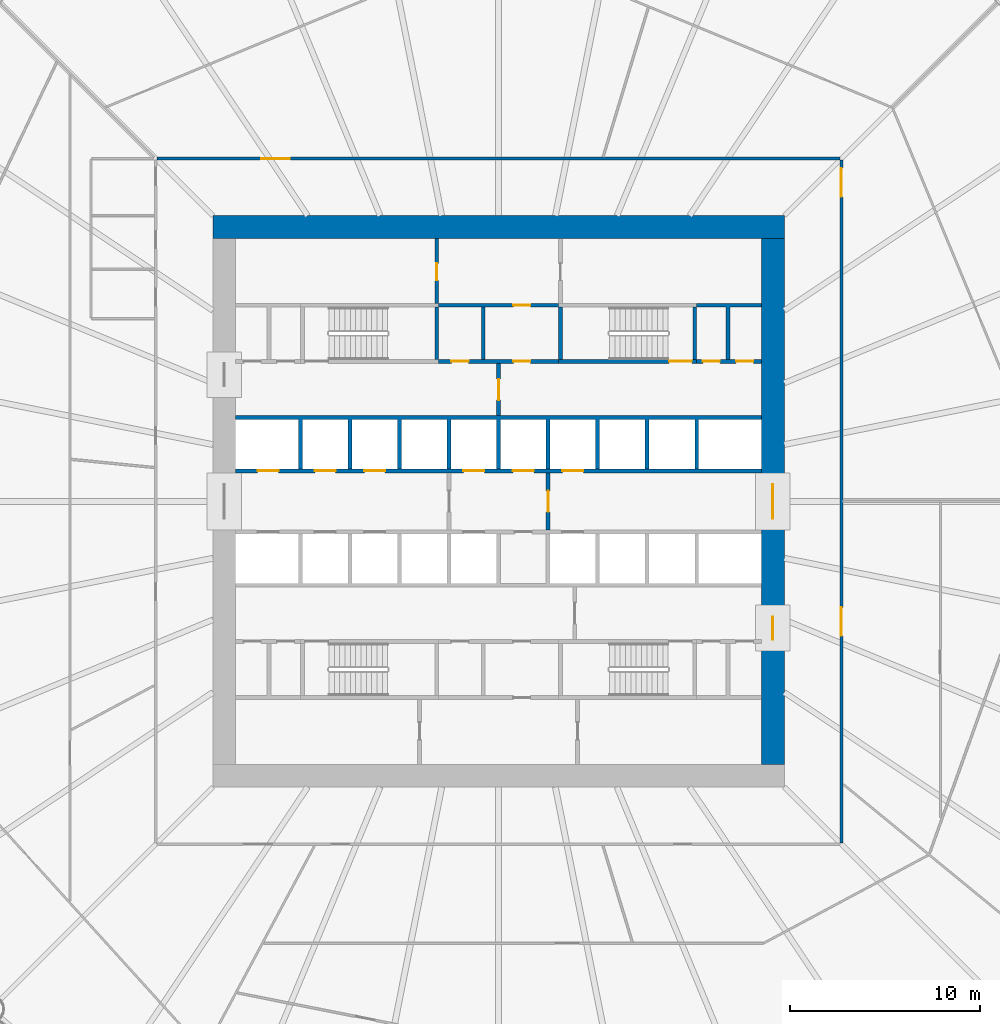
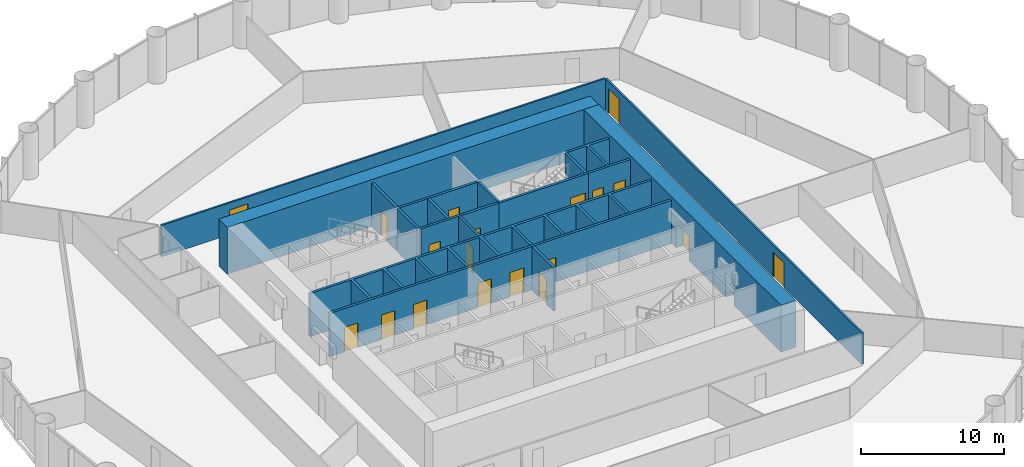
# One storey, part 13 of 15: 20 doors, 18 walls, 20 openings.
"""IFC4 building model written with IfcOpenShell, lengths in metres."""

from ifc_helpers import new_model, si_unit, direction, frame, frame_2d, origin, place, context, subcontext, project, spatial, polyline, rectangle, outline, extrude, material, layer, layer_set, type_object, element, fill, save


model = new_model("IFC4")

# Units and contexts
model_context = context("Model", 3, precision=1e-05, world=origin(), true_north=direction((0.0, 1.0)))
body_context = subcontext(model_context, "Body", "Model", "MODEL_VIEW")
ifc_project = project(units=[si_unit("LENGTHUNIT", "METRE"), si_unit("AREAUNIT", "SQUARE_METRE"), si_unit("VOLUMEUNIT", "CUBIC_METRE"), si_unit("PLANEANGLEUNIT", "RADIAN"), si_unit("MASSUNIT", "GRAM", prefix="KILO")], contexts=[model_context])

# Site, building, storey
site_placement = place(None, origin())
site = spatial("IfcSite", under=ifc_project, at=site_placement, CompositionType="ELEMENT")
building_placement = place(site_placement, origin())
building = spatial("IfcBuilding", under=site, at=building_placement, Name="Corvane Civic Tower", CompositionType="ELEMENT")
storey_placement = place(building_placement, frame((0.0, 0.0, 61.0)))
storey = spatial("IfcBuildingStorey", under=building, at=storey_placement, Name="L13", CompositionType="ELEMENT", Elevation=61.0)

# Wall
ifc_material_1 = material(Name="Concrete C80/95", Category="concrete")
ifc_layer_1 = layer(ifc_material_1, 1.199951171875)
ifc_layer_set_1 = layer_set([ifc_layer_1], Name="Concrete C80/95")
wall_type_1 = type_object("IfcWallType", Name="CORE WALL 1200 C80/95", PredefinedType="SHEAR", material=ifc_layer_set_1)
wall_1_placement = place(storey_placement, frame((-15.0, 14.39990234375, 0.0), z_axis=(0.0, 0.0, 1.0), x_axis=(1.0, 0.0, 0.0)))
element("IfcWall", 1, at=wall_1_placement, inside=storey, type_object=wall_type_1, Name="W-L13-core-N", PredefinedType="SHEAR", context=body_context, shape_type="SweptSolid", body=[
    extrude(rectangle(XDim=30.0, YDim=1.199951171875, at=frame_2d((15.0, 0.0))), origin(), (0.0, 0.0, 1.0), 4.0),
])

# Wall, openings, doors
wall_2_placement = place(storey_placement, frame((14.39990234375, -13.800048828125, 0.0), z_axis=(0.0, 0.0, 1.0), x_axis=(0.0, 1.0, 0.0)))
wall_2 = element("IfcWall", 2, at=wall_2_placement, inside=storey, type_object=wall_type_1, Name="W-L13-core-E", PredefinedType="SHEAR", context=body_context, shape_type="SweptSolid", body=[
    extrude(rectangle(XDim=27.60009765625, YDim=1.199951171875, at=frame_2d((13.800048828125, 0.0))), origin(), (0.0, 0.0, 1.0), 4.0),
])
opening_1_placement = place(wall_2_placement, frame((12.89990234375, 0.0, 0.0)))
opening_1 = element("IfcOpeningElement", 3, at=opening_1_placement, cuts=wall_2, Name="Opening L13.C29", PredefinedType="OPENING", context=body_context, shape_type="SweptSolid", body=[
    extrude(rectangle(XDim=1.800048828125, YDim=2.10009765625, at=frame_2d((0.89990234375, 1.050048828125))), frame((0.0, 0.60986328125, 0.0), z_axis=(0.0, -1.0, 0.0), x_axis=(1.0, 0.0, 0.0)), (0.0, 0.0, 1.0), 1.219970703125),
])
opening_2_placement = place(wall_2_placement, frame((6.550048828125, 0.0, 0.0)))
opening_2 = element("IfcOpeningElement", 4, at=opening_2_placement, cuts=wall_2, Name="Opening L13.C31", PredefinedType="OPENING", context=body_context, shape_type="SweptSolid", body=[
    extrude(rectangle(XDim=1.199951171875, YDim=2.10009765625, at=frame_2d((0.60009765625, 1.050048828125))), frame((0.0, 0.60986328125, 0.0), z_axis=(0.0, -1.0, 0.0), x_axis=(1.0, 0.0, 0.0)), (0.0, 0.0, 1.0), 1.219970703125),
])
ifc_material_2 = material(Name="Steel fire door leaf", Category="steel")
door_type_1 = type_object("IfcDoorType", Name="CR-DOOR-CORE-1800", OperationType="DOUBLE_DOOR_SINGLE_SWING", PredefinedType="DOOR", material=ifc_material_2)
door_1_placement = place(opening_1_placement, origin())
door_1 = element("IfcDoor", 5, at=door_1_placement, inside=storey, type_object=door_type_1, Name="L13 door", OperationType="DOUBLE_DOOR_SINGLE_SWING", OverallHeight=2.10009765625, OverallWidth=1.800048828125, PredefinedType="DOOR", context=body_context, shape_type="SweptSolid", body=[
    extrude(rectangle(XDim=1.800048828125, YDim=2.10009765625, at=frame_2d((0.89990234375, 1.050048828125))), frame((0.0, 0.02490234375, 0.0), z_axis=(0.0, -1.0, 0.0), x_axis=(1.0, 0.0, 0.0)), (0.0, 0.0, 1.0), 0.050048828125),
])
fill(opening_1, door_1)
door_2_placement = place(opening_2_placement, origin())
door_2 = element("IfcDoor", 6, at=door_2_placement, inside=storey, type_object=door_type_1, Name="L13 door", OperationType="DOUBLE_DOOR_SINGLE_SWING", OverallHeight=2.10009765625, OverallWidth=1.199951171875, PredefinedType="DOOR", context=body_context, shape_type="SweptSolid", body=[
    extrude(rectangle(XDim=1.199951171875, YDim=2.10009765625, at=frame_2d((0.60009765625, 1.050048828125))), frame((0.0, 0.02490234375, 0.0), z_axis=(0.0, -1.0, 0.0), x_axis=(1.0, 0.0, 0.0)), (0.0, 0.0, 1.0), 0.050048828125),
])
fill(opening_2, door_2)

ifc_material_3 = material(Name="Concrete C30/37", Category="concrete")
ifc_layer_2 = layer(ifc_material_3, 0.199951171875)
ifc_layer_set_2 = layer_set([ifc_layer_2], Name="Concrete C30/37")
wall_type_2 = type_object("IfcWallType", Name="CR-WALL-200", PredefinedType="PARTITIONING", material=ifc_layer_set_2)
wall_3_placement = place(storey_placement, frame((-13.800048828125, 1.60009765625, 0.0), z_axis=(0.0, 0.0, 1.0), x_axis=(1.0, 0.0, 0.0)))
wall_3 = element("IfcWall", 7, at=wall_3_placement, inside=storey, type_object=wall_type_2, Name="L13 lift shaft wall", PredefinedType="PARTITIONING", context=body_context, shape_type="SweptSolid", body=[
    extrude(rectangle(XDim=27.60009765625, YDim=0.199951171875, at=frame_2d((13.800048828125, 0.0))), origin(), (0.0, 0.0, 1.0), 3.699951171875),
])
opening_3_placement = place(wall_3_placement, frame((1.14990234375, 0.0, 0.0)))
opening_3 = element("IfcOpeningElement", 8, at=opening_3_placement, cuts=wall_3, Name="Opening LD", PredefinedType="OPENING", context=body_context, shape_type="SweptSolid", body=[
    extrude(rectangle(XDim=1.10009765625, YDim=2.10009765625, at=frame_2d((0.550048828125, 1.050048828125))), frame((0.0, 0.10986328125, 0.0), z_axis=(0.0, -1.0, 0.0), x_axis=(1.0, 0.0, 0.0)), (0.0, 0.0, 1.0), 0.219970703125),
])
opening_4_placement = place(wall_3_placement, frame((4.14990234375, 0.0, 0.0)))
opening_4 = element("IfcOpeningElement", 9, at=opening_4_placement, cuts=wall_3, Name="Opening LD", PredefinedType="OPENING", context=body_context, shape_type="SweptSolid", body=[
    extrude(rectangle(XDim=1.10009765625, YDim=2.10009765625, at=frame_2d((0.550048828125, 1.050048828125))), frame((0.0, 0.10986328125, 0.0), z_axis=(0.0, -1.0, 0.0), x_axis=(1.0, 0.0, 0.0)), (0.0, 0.0, 1.0), 0.219970703125),
])
opening_5_placement = place(wall_3_placement, frame((6.75, 0.0, 0.0)))
opening_5 = element("IfcOpeningElement", 10, at=opening_5_placement, cuts=wall_3, Name="Opening LD", PredefinedType="OPENING", context=body_context, shape_type="SweptSolid", body=[
    extrude(rectangle(XDim=1.10009765625, YDim=2.10009765625, at=frame_2d((0.550048828125, 1.050048828125))), frame((0.0, 0.10986328125, 0.0), z_axis=(0.0, -1.0, 0.0), x_axis=(1.0, 0.0, 0.0)), (0.0, 0.0, 1.0), 0.219970703125),
])
opening_6_placement = place(wall_3_placement, frame((11.949951171875, 0.0, 0.0)))
opening_6 = element("IfcOpeningElement", 11, at=opening_6_placement, cuts=wall_3, Name="Opening LD", PredefinedType="OPENING", context=body_context, shape_type="SweptSolid", body=[
    extrude(rectangle(XDim=1.10009765625, YDim=2.10009765625, at=frame_2d((0.550048828125, 1.050048828125))), frame((0.0, 0.10986328125, 0.0), z_axis=(0.0, -1.0, 0.0), x_axis=(1.0, 0.0, 0.0)), (0.0, 0.0, 1.0), 0.219970703125),
])
opening_7_placement = place(wall_3_placement, frame((14.550048828125, 0.0, 0.0)))
opening_7 = element("IfcOpeningElement", 12, at=opening_7_placement, cuts=wall_3, Name="Opening LD", PredefinedType="OPENING", context=body_context, shape_type="SweptSolid", body=[
    extrude(rectangle(XDim=1.10009765625, YDim=2.10009765625, at=frame_2d((0.550048828125, 1.050048828125))), frame((0.0, 0.10986328125, 0.0), z_axis=(0.0, -1.0, 0.0), x_axis=(1.0, 0.0, 0.0)), (0.0, 0.0, 1.0), 0.219970703125),
])
opening_8_placement = place(wall_3_placement, frame((17.14990234375, 0.0, 0.0)))
opening_8 = element("IfcOpeningElement", 13, at=opening_8_placement, cuts=wall_3, Name="Opening LD", PredefinedType="OPENING", context=body_context, shape_type="SweptSolid", body=[
    extrude(rectangle(XDim=1.10009765625, YDim=2.10009765625, at=frame_2d((0.550048828125, 1.050048828125))), frame((0.0, 0.10986328125, 0.0), z_axis=(0.0, -1.0, 0.0), x_axis=(1.0, 0.0, 0.0)), (0.0, 0.0, 1.0), 0.219970703125),
])
ifc_material_4 = material(Name="Stainless steel 316 door leaves", Category="steel")
door_type_2 = type_object("IfcDoorType", Name="LD", OperationType="DOUBLE_DOOR_SLIDING", PredefinedType="DOOR", material=ifc_material_4)
door_3_placement = place(opening_3_placement, origin())
door_3 = element("IfcDoor", 14, at=door_3_placement, inside=storey, type_object=door_type_2, Name="L13 landing door", OperationType="DOUBLE_DOOR_SLIDING", OverallHeight=2.10009765625, OverallWidth=1.10009765625, PredefinedType="DOOR", context=body_context, shape_type="SweptSolid", body=[
    extrude(rectangle(XDim=1.10009765625, YDim=2.10009765625, at=frame_2d((0.550048828125, 1.050048828125))), frame((0.0, 0.02490234375, 0.0), z_axis=(0.0, -1.0, 0.0), x_axis=(1.0, 0.0, 0.0)), (0.0, 0.0, 1.0), 0.050048828125),
])
fill(opening_3, door_3)
door_4_placement = place(opening_4_placement, origin())
door_4 = element("IfcDoor", 15, at=door_4_placement, inside=storey, type_object=door_type_2, Name="L13 landing door", OperationType="DOUBLE_DOOR_SLIDING", OverallHeight=2.10009765625, OverallWidth=1.10009765625, PredefinedType="DOOR", context=body_context, shape_type="SweptSolid", body=[
    extrude(rectangle(XDim=1.10009765625, YDim=2.10009765625, at=frame_2d((0.550048828125, 1.050048828125))), frame((0.0, 0.02490234375, 0.0), z_axis=(0.0, -1.0, 0.0), x_axis=(1.0, 0.0, 0.0)), (0.0, 0.0, 1.0), 0.050048828125),
])
fill(opening_4, door_4)
door_5_placement = place(opening_5_placement, origin())
door_5 = element("IfcDoor", 16, at=door_5_placement, inside=storey, type_object=door_type_2, Name="L13 landing door", OperationType="DOUBLE_DOOR_SLIDING", OverallHeight=2.10009765625, OverallWidth=1.10009765625, PredefinedType="DOOR", context=body_context, shape_type="SweptSolid", body=[
    extrude(rectangle(XDim=1.10009765625, YDim=2.10009765625, at=frame_2d((0.550048828125, 1.050048828125))), frame((0.0, 0.02490234375, 0.0), z_axis=(0.0, -1.0, 0.0), x_axis=(1.0, 0.0, 0.0)), (0.0, 0.0, 1.0), 0.050048828125),
])
fill(opening_5, door_5)
door_6_placement = place(opening_6_placement, origin())
door_6 = element("IfcDoor", 17, at=door_6_placement, inside=storey, type_object=door_type_2, Name="L13 landing door", OperationType="DOUBLE_DOOR_SLIDING", OverallHeight=2.10009765625, OverallWidth=1.10009765625, PredefinedType="DOOR", context=body_context, shape_type="SweptSolid", body=[
    extrude(rectangle(XDim=1.10009765625, YDim=2.10009765625, at=frame_2d((0.550048828125, 1.050048828125))), frame((0.0, 0.02490234375, 0.0), z_axis=(0.0, -1.0, 0.0), x_axis=(1.0, 0.0, 0.0)), (0.0, 0.0, 1.0), 0.050048828125),
])
fill(opening_6, door_6)
door_7_placement = place(opening_7_placement, origin())
door_7 = element("IfcDoor", 18, at=door_7_placement, inside=storey, type_object=door_type_2, Name="L13 landing door", OperationType="DOUBLE_DOOR_SLIDING", OverallHeight=2.10009765625, OverallWidth=1.10009765625, PredefinedType="DOOR", context=body_context, shape_type="SweptSolid", body=[
    extrude(rectangle(XDim=1.10009765625, YDim=2.10009765625, at=frame_2d((0.550048828125, 1.050048828125))), frame((0.0, 0.02490234375, 0.0), z_axis=(0.0, -1.0, 0.0), x_axis=(1.0, 0.0, 0.0)), (0.0, 0.0, 1.0), 0.050048828125),
])
fill(opening_7, door_7)
door_8_placement = place(opening_8_placement, origin())
door_8 = element("IfcDoor", 19, at=door_8_placement, inside=storey, type_object=door_type_2, Name="L13 landing door", OperationType="DOUBLE_DOOR_SLIDING", OverallHeight=2.10009765625, OverallWidth=1.10009765625, PredefinedType="DOOR", context=body_context, shape_type="SweptSolid", body=[
    extrude(rectangle(XDim=1.10009765625, YDim=2.10009765625, at=frame_2d((0.550048828125, 1.050048828125))), frame((0.0, 0.02490234375, 0.0), z_axis=(0.0, -1.0, 0.0), x_axis=(1.0, 0.0, 0.0)), (0.0, 0.0, 1.0), 0.050048828125),
])
fill(opening_8, door_8)

wall_4_placement = place(storey_placement, frame((-3.14990234375, 7.35009765625, 0.0), z_axis=(0.0, 0.0, 1.0), x_axis=(1.0, 0.0, 0.0)))
wall_4 = element("IfcWall", 20, at=wall_4_placement, inside=storey, type_object=wall_type_2, Name="L13 partition wall", PredefinedType="PARTITIONING", context=body_context, shape_type="SweptSolid", body=[
    extrude(rectangle(XDim=6.2998046875, YDim=0.199951171875, at=frame_2d((3.14990234375, 0.0))), origin(), (0.0, 0.0, 1.0), 3.699951171875),
])
opening_9_placement = place(wall_4_placement, frame((0.675048828125, 0.0, 0.0)))
opening_9 = element("IfcOpeningElement", 21, at=opening_9_placement, cuts=wall_4, Name="Opening L13.C02", PredefinedType="OPENING", context=body_context, shape_type="SweptSolid", body=[
    extrude(rectangle(XDim=0.89990234375, YDim=2.10009765625, at=frame_2d((0.449951171875, 1.050048828125))), frame((0.0, 0.10986328125, 0.0), z_axis=(0.0, -1.0, 0.0), x_axis=(1.0, 0.0, 0.0)), (0.0, 0.0, 1.0), 0.219970703125),
])
opening_10_placement = place(wall_4_placement, frame((3.925048828125, 0.0, 0.0)))
opening_10 = element("IfcOpeningElement", 22, at=opening_10_placement, cuts=wall_4, Name="Opening L13.C03", PredefinedType="OPENING", context=body_context, shape_type="SweptSolid", body=[
    extrude(rectangle(XDim=0.89990234375, YDim=2.10009765625, at=frame_2d((0.449951171875, 1.050048828125))), frame((0.0, 0.10986328125, 0.0), z_axis=(0.0, -1.0, 0.0), x_axis=(1.0, 0.0, 0.0)), (0.0, 0.0, 1.0), 0.219970703125),
])
ifc_material_5 = material(Name="Steel fire door leaf", Category="steel")
door_type_3 = type_object("IfcDoorType", Name="CR-DOOR-900", OperationType="SINGLE_SWING_LEFT", PredefinedType="DOOR", material=ifc_material_5)
door_9_placement = place(opening_9_placement, origin())
door_9 = element("IfcDoor", 23, at=door_9_placement, inside=storey, type_object=door_type_3, Name="L13 door", OperationType="SINGLE_SWING_LEFT", OverallHeight=2.10009765625, OverallWidth=0.89990234375, PredefinedType="DOOR", context=body_context, shape_type="SweptSolid", body=[
    extrude(rectangle(XDim=0.89990234375, YDim=2.10009765625, at=frame_2d((0.449951171875, 1.050048828125))), frame((0.0, 0.02490234375, 0.0), z_axis=(0.0, -1.0, 0.0), x_axis=(1.0, 0.0, 0.0)), (0.0, 0.0, 1.0), 0.050048828125),
])
fill(opening_9, door_9)
door_10_placement = place(opening_10_placement, origin())
door_10 = element("IfcDoor", 24, at=door_10_placement, inside=storey, type_object=door_type_3, Name="L13 door", OperationType="SINGLE_SWING_LEFT", OverallHeight=2.10009765625, OverallWidth=0.89990234375, PredefinedType="DOOR", context=body_context, shape_type="SweptSolid", body=[
    extrude(rectangle(XDim=0.89990234375, YDim=2.10009765625, at=frame_2d((0.449951171875, 1.050048828125))), frame((0.0, 0.02490234375, 0.0), z_axis=(0.0, -1.0, 0.0), x_axis=(1.0, 0.0, 0.0)), (0.0, 0.0, 1.0), 0.050048828125),
])
fill(opening_10, door_10)

wall_5_placement = place(storey_placement, frame((10.39990234375, 7.35009765625, 0.0), z_axis=(0.0, 0.0, 1.0), x_axis=(1.0, 0.0, 0.0)))
wall_5 = element("IfcWall", 25, at=wall_5_placement, inside=storey, type_object=wall_type_2, Name="L13 core partition wall", PredefinedType="PARTITIONING", context=body_context, shape_type="SweptSolid", body=[
    extrude(rectangle(XDim=3.400146484375, YDim=0.199951171875, at=frame_2d((1.7001953125, 0.0))), origin(), (0.0, 0.0, 1.0), 3.699951171875),
])
opening_11_placement = place(wall_5_placement, frame((0.324951171875, 0.0, 0.0)))
opening_11 = element("IfcOpeningElement", 26, at=opening_11_placement, cuts=wall_5, Name="Opening L13.C16", PredefinedType="OPENING", context=body_context, shape_type="SweptSolid", body=[
    extrude(rectangle(XDim=0.89990234375, YDim=2.10009765625, at=frame_2d((0.449951171875, 1.050048828125))), frame((0.0, 0.10986328125, 0.0), z_axis=(0.0, -1.0, 0.0), x_axis=(1.0, 0.0, 0.0)), (0.0, 0.0, 1.0), 0.219970703125),
])
opening_12_placement = place(wall_5_placement, frame((2.074951171875, 0.0, 0.0)))
opening_12 = element("IfcOpeningElement", 27, at=opening_12_placement, cuts=wall_5, Name="Opening L13.C17", PredefinedType="OPENING", context=body_context, shape_type="SweptSolid", body=[
    extrude(rectangle(XDim=0.89990234375, YDim=2.10009765625, at=frame_2d((0.449951171875, 1.050048828125))), frame((0.0, 0.10986328125, 0.0), z_axis=(0.0, -1.0, 0.0), x_axis=(1.0, 0.0, 0.0)), (0.0, 0.0, 1.0), 0.219970703125),
])
door_11_placement = place(opening_11_placement, origin())
door_11 = element("IfcDoor", 28, at=door_11_placement, inside=storey, type_object=door_type_3, Name="L13 door", OperationType="SINGLE_SWING_LEFT", OverallHeight=2.10009765625, OverallWidth=0.89990234375, PredefinedType="DOOR", context=body_context, shape_type="SweptSolid", body=[
    extrude(rectangle(XDim=0.89990234375, YDim=2.10009765625, at=frame_2d((0.449951171875, 1.050048828125))), frame((0.0, 0.02490234375, 0.0), z_axis=(0.0, -1.0, 0.0), x_axis=(1.0, 0.0, 0.0)), (0.0, 0.0, 1.0), 0.050048828125),
])
fill(opening_11, door_11)
door_12_placement = place(opening_12_placement, origin())
door_12 = element("IfcDoor", 29, at=door_12_placement, inside=storey, type_object=door_type_3, Name="L13 door", OperationType="SINGLE_SWING_LEFT", OverallHeight=2.10009765625, OverallWidth=0.89990234375, PredefinedType="DOOR", context=body_context, shape_type="SweptSolid", body=[
    extrude(rectangle(XDim=0.89990234375, YDim=2.10009765625, at=frame_2d((0.449951171875, 1.050048828125))), frame((0.0, 0.02490234375, 0.0), z_axis=(0.0, -1.0, 0.0), x_axis=(1.0, 0.0, 0.0)), (0.0, 0.0, 1.0), 0.050048828125),
])
fill(opening_12, door_12)

# Wall, opening, door
wall_6_placement = place(storey_placement, frame((-3.14990234375, 10.300048828125, 0.0), z_axis=(0.0, 0.0, 1.0), x_axis=(1.0, 0.0, 0.0)))
wall_6 = element("IfcWall", 30, at=wall_6_placement, inside=storey, type_object=wall_type_2, Name="L13 partition wall", PredefinedType="PARTITIONING", context=body_context, shape_type="SweptSolid", body=[
    extrude(rectangle(XDim=6.2998046875, YDim=0.199951171875, at=frame_2d((3.14990234375, 0.0))), origin(), (0.0, 0.0, 1.0), 3.699951171875),
])
opening_13_placement = place(wall_6_placement, frame((3.925048828125, 0.0, 0.0)))
opening_13 = element("IfcOpeningElement", 31, at=opening_13_placement, cuts=wall_6, Name="Opening L13.C07", PredefinedType="OPENING", context=body_context, shape_type="SweptSolid", body=[
    extrude(rectangle(XDim=0.89990234375, YDim=2.10009765625, at=frame_2d((0.449951171875, 1.050048828125))), frame((0.0, 0.10986328125, 0.0), z_axis=(0.0, -1.0, 0.0), x_axis=(1.0, 0.0, 0.0)), (0.0, 0.0, 1.0), 0.219970703125),
])
door_13_placement = place(opening_13_placement, origin())
door_13 = element("IfcDoor", 32, at=door_13_placement, inside=storey, type_object=door_type_3, Name="L13 door", OperationType="SINGLE_SWING_LEFT", OverallHeight=2.10009765625, OverallWidth=0.89990234375, PredefinedType="DOOR", context=body_context, shape_type="SweptSolid", body=[
    extrude(rectangle(XDim=0.89990234375, YDim=2.10009765625, at=frame_2d((0.449951171875, 1.050048828125))), frame((0.0, 0.02490234375, 0.0), z_axis=(0.0, -1.0, 0.0), x_axis=(1.0, 0.0, 0.0)), (0.0, 0.0, 1.0), 0.050048828125),
])
fill(opening_13, door_13)

wall_7_placement = place(storey_placement, frame((-3.25, 10.39990234375, 0.0), z_axis=(0.0, 0.0, 1.0), x_axis=(0.0, 1.0, 0.0)))
wall_7 = element("IfcWall", 33, at=wall_7_placement, inside=storey, type_object=wall_type_2, Name="L13 partition wall", PredefinedType="PARTITIONING", context=body_context, shape_type="SweptSolid", body=[
    extrude(rectangle(XDim=3.400146484375, YDim=0.199951171875, at=frame_2d((1.7001953125, 0.0))), origin(), (0.0, 0.0, 1.0), 3.699951171875),
])
opening_14_placement = place(wall_7_placement, frame((1.199951171875, 0.0, 0.0)))
opening_14 = element("IfcOpeningElement", 34, at=opening_14_placement, cuts=wall_7, Name="Opening L13.C06", PredefinedType="OPENING", context=body_context, shape_type="SweptSolid", body=[
    extrude(rectangle(XDim=0.89990234375, YDim=2.10009765625, at=frame_2d((0.449951171875, 1.050048828125))), frame((0.0, 0.10986328125, 0.0), z_axis=(0.0, -1.0, 0.0), x_axis=(1.0, 0.0, 0.0)), (0.0, 0.0, 1.0), 0.219970703125),
])
door_14_placement = place(opening_14_placement, origin())
door_14 = element("IfcDoor", 35, at=door_14_placement, inside=storey, type_object=door_type_3, Name="L13 door", OperationType="SINGLE_SWING_LEFT", OverallHeight=2.10009765625, OverallWidth=0.89990234375, PredefinedType="DOOR", context=body_context, shape_type="SweptSolid", body=[
    extrude(rectangle(XDim=0.89990234375, YDim=2.10009765625, at=frame_2d((0.449951171875, 1.050048828125))), frame((0.0, 0.02490234375, 0.0), z_axis=(0.0, -1.0, 0.0), x_axis=(1.0, 0.0, 0.0)), (0.0, 0.0, 1.0), 0.050048828125),
])
fill(opening_14, door_14)

wall_8_placement = place(storey_placement, frame((0.0, 4.5, 0.0), z_axis=(0.0, 0.0, 1.0), x_axis=(0.0, 1.0, 0.0)))
wall_8 = element("IfcWall", 36, at=wall_8_placement, inside=storey, type_object=wall_type_2, Name="L13 core partition wall", PredefinedType="PARTITIONING", context=body_context, shape_type="SweptSolid", body=[
    extrude(rectangle(XDim=2.75, YDim=0.199951171875, at=frame_2d((1.375, 0.0))), origin(), (0.0, 0.0, 1.0), 3.699951171875),
])
opening_15_placement = place(wall_8_placement, frame((0.824951171875, 0.0, 0.0)))
opening_15 = element("IfcOpeningElement", 37, at=opening_15_placement, cuts=wall_8, Name="Opening L13.C26", PredefinedType="OPENING", context=body_context, shape_type="SweptSolid", body=[
    extrude(rectangle(XDim=1.10009765625, YDim=2.10009765625, at=frame_2d((0.550048828125, 1.050048828125))), frame((0.0, 0.10986328125, 0.0), z_axis=(0.0, -1.0, 0.0), x_axis=(1.0, 0.0, 0.0)), (0.0, 0.0, 1.0), 0.219970703125),
])
ifc_material_6 = material(Name="Steel fire door leaf", Category="steel")
door_type_4 = type_object("IfcDoorType", Name="CR-DOOR-FFL-1100", OperationType="SINGLE_SWING_LEFT", PredefinedType="DOOR", material=ifc_material_6)
door_15_placement = place(opening_15_placement, origin())
door_15 = element("IfcDoor", 38, at=door_15_placement, inside=storey, type_object=door_type_4, Name="L13 lobby door", OperationType="SINGLE_SWING_LEFT", OverallHeight=2.10009765625, OverallWidth=1.10009765625, PredefinedType="DOOR", context=body_context, shape_type="SweptSolid", body=[
    extrude(rectangle(XDim=1.10009765625, YDim=2.10009765625, at=frame_2d((0.550048828125, 1.050048828125))), frame((0.0, 0.02490234375, 0.0), z_axis=(0.0, -1.0, 0.0), x_axis=(1.0, 0.0, 0.0)), (0.0, 0.0, 1.0), 0.050048828125),
])
fill(opening_15, door_15)

wall_9_placement = place(storey_placement, frame((2.60009765625, -1.5, 0.0), z_axis=(0.0, 0.0, 1.0), x_axis=(0.0, 1.0, 0.0)))
wall_9 = element("IfcWall", 39, at=wall_9_placement, inside=storey, type_object=wall_type_2, Name="L13 firefighting lobby wall", PredefinedType="PARTITIONING", context=body_context, shape_type="SweptSolid", body=[
    extrude(rectangle(XDim=3.0, YDim=0.199951171875, at=frame_2d((1.5, 0.0))), origin(), (0.0, 0.0, 1.0), 3.699951171875),
])
opening_16_placement = place(wall_9_placement, frame((0.949951171875, 0.0, 0.0)))
opening_16 = element("IfcOpeningElement", 40, at=opening_16_placement, cuts=wall_9, Name="Opening L13.C25", PredefinedType="OPENING", context=body_context, shape_type="SweptSolid", body=[
    extrude(rectangle(XDim=1.10009765625, YDim=2.10009765625, at=frame_2d((0.550048828125, 1.050048828125))), frame((0.0, 0.10986328125, 0.0), z_axis=(0.0, -1.0, 0.0), x_axis=(1.0, 0.0, 0.0)), (0.0, 0.0, 1.0), 0.219970703125),
])
door_16_placement = place(opening_16_placement, origin())
door_16 = element("IfcDoor", 41, at=door_16_placement, inside=storey, type_object=door_type_4, Name="L13 lobby door", OperationType="SINGLE_SWING_LEFT", OverallHeight=2.10009765625, OverallWidth=1.10009765625, PredefinedType="DOOR", context=body_context, shape_type="SweptSolid", body=[
    extrude(rectangle(XDim=1.10009765625, YDim=2.10009765625, at=frame_2d((0.550048828125, 1.050048828125))), frame((0.0, 0.02490234375, 0.0), z_axis=(0.0, -1.0, 0.0), x_axis=(1.0, 0.0, 0.0)), (0.0, 0.0, 1.0), 0.050048828125),
])
fill(opening_16, door_16)

# Walls
wall_10_placement = place(storey_placement, origin())
element("IfcWall", 42, at=wall_10_placement, inside=storey, type_object=wall_type_2, Name="L13 core partition wall", PredefinedType="PARTITIONING", context=body_context, shape_type="SweptSolid", body=[
    extrude(outline(polyline([(-0.699951171875, 7.449951171875), (-0.89990234375, 7.449951171875), (-0.89990234375, 10.199951171875), (-0.699951171875, 10.199951171875), (-0.699951171875, 7.449951171875)])), origin(), (0.0, 0.0, 1.0), 3.699951171875),
])
wall_11_placement = place(storey_placement, origin())
element("IfcWall", 43, at=wall_11_placement, inside=storey, type_object=wall_type_2, Name="L13 core partition wall", PredefinedType="PARTITIONING", context=body_context, shape_type="SweptSolid", body=[
    extrude(outline(polyline([(-10.300048828125, 1.699951171875), (-10.5, 1.699951171875), (-10.5, 4.300048828125), (-13.800048828125, 4.300048828125), (-13.800048828125, 4.5), (13.800048828125, 4.5), (13.800048828125, 4.300048828125), (10.5, 4.300048828125), (10.5, 1.699951171875), (10.300048828125, 1.699951171875), (10.300048828125, 4.300048828125), (7.89990234375, 4.300048828125), (7.89990234375, 1.699951171875), (7.699951171875, 1.699951171875), (7.699951171875, 4.300048828125), (5.300048828125, 4.300048828125), (5.300048828125, 1.699951171875), (5.10009765625, 1.699951171875), (5.10009765625, 4.300048828125), (2.699951171875, 4.300048828125), (2.699951171875, 1.699951171875), (2.5, 1.699951171875), (2.5, 4.300048828125), (0.10009765625, 4.300048828125), (0.10009765625, 1.699951171875), (-0.10009765625, 1.699951171875), (-0.10009765625, 4.300048828125), (-2.5, 4.300048828125), (-2.5, 1.699951171875), (-2.699951171875, 1.699951171875), (-2.699951171875, 4.300048828125), (-5.10009765625, 4.300048828125), (-5.10009765625, 1.699951171875), (-5.300048828125, 1.699951171875), (-5.300048828125, 4.300048828125), (-7.699951171875, 4.300048828125), (-7.699951171875, 1.699951171875), (-7.89990234375, 1.699951171875), (-7.89990234375, 4.300048828125), (-10.300048828125, 4.300048828125), (-10.300048828125, 1.699951171875)])), origin(), (0.0, 0.0, 1.0), 3.699951171875),
])
wall_12_placement = place(storey_placement, origin())
element("IfcWall", 44, at=wall_12_placement, inside=storey, type_object=wall_type_2, Name="L13 core partition wall", PredefinedType="PARTITIONING", context=body_context, shape_type="SweptSolid", body=[
    extrude(outline(polyline([(13.800048828125, 10.39990234375), (13.800048828125, 10.199951171875), (12.14990234375, 10.199951171875), (12.14990234375, 7.449951171875), (11.949951171875, 7.449951171875), (11.949951171875, 10.199951171875), (10.39990234375, 10.199951171875), (10.39990234375, 10.39990234375), (13.800048828125, 10.39990234375)])), origin(), (0.0, 0.0, 1.0), 3.699951171875),
])

# Wall, opening, door
ifc_material_7 = material(Name="Concrete C50/60", Category="concrete")
ifc_layer_3 = layer(ifc_material_7, 0.199951171875)
ifc_layer_set_3 = layer_set([ifc_layer_3], Name="Concrete C50/60")
wall_type_3 = type_object("IfcWallType", Name="ST-WALL-200", PredefinedType="SHEAR", material=ifc_layer_set_3)
wall_13_placement = place(storey_placement, frame((3.14990234375, 7.35009765625, 0.0), z_axis=(0.0, 0.0, 1.0), x_axis=(1.0, 0.0, 0.0)))
wall_13 = element("IfcWall", 45, at=wall_13_placement, inside=storey, type_object=wall_type_3, Name="L13 stair enclosure wall", PredefinedType="SHEAR", context=body_context, shape_type="SweptSolid", body=[
    extrude(rectangle(XDim=7.25, YDim=0.199951171875, at=frame_2d((3.625, 0.0))), origin(), (0.0, 0.0, 1.0), 3.699951171875),
])
opening_17_placement = place(wall_13_placement, frame((5.800048828125, 0.0, 0.0)))
opening_17 = element("IfcOpeningElement", 46, at=opening_17_placement, cuts=wall_13, Name="Opening L13.C20", PredefinedType="OPENING", context=body_context, shape_type="SweptSolid", body=[
    extrude(rectangle(XDim=1.199951171875, YDim=2.10009765625, at=frame_2d((0.60009765625, 1.050048828125))), frame((0.0, 0.10986328125, 0.0), z_axis=(0.0, -1.0, 0.0), x_axis=(1.0, 0.0, 0.0)), (0.0, 0.0, 1.0), 0.219970703125),
])
ifc_material_8 = material(Name="Steel fire door leaf", Category="steel")
door_type_5 = type_object("IfcDoorType", Name="ST-DOOR-1200", OperationType="SINGLE_SWING_RIGHT", PredefinedType="DOOR", material=ifc_material_8)
door_17_placement = place(opening_17_placement, origin())
door_17 = element("IfcDoor", 47, at=door_17_placement, inside=storey, type_object=door_type_5, Name="L13 stair door", OperationType="SINGLE_SWING_RIGHT", OverallHeight=2.10009765625, OverallWidth=1.199951171875, PredefinedType="DOOR", context=body_context, shape_type="SweptSolid", body=[
    extrude(rectangle(XDim=1.199951171875, YDim=2.10009765625, at=frame_2d((0.60009765625, 1.050048828125))), frame((0.0, 0.02490234375, 0.0), z_axis=(0.0, -1.0, 0.0), x_axis=(1.0, 0.0, 0.0)), (0.0, 0.0, 1.0), 0.050048828125),
])
fill(opening_17, door_17)

# Walls
wall_14_placement = place(storey_placement, origin())
element("IfcWall", 48, at=wall_14_placement, inside=storey, type_object=wall_type_3, Name="L13 stair enclosure wall", PredefinedType="SHEAR", context=body_context, shape_type="SweptSolid", body=[
    extrude(outline(polyline([(-3.14990234375, 7.449951171875), (-3.35009765625, 7.449951171875), (-3.35009765625, 10.199951171875), (-3.14990234375, 10.199951171875), (-3.14990234375, 7.449951171875)])), origin(), (0.0, 0.0, 1.0), 3.699951171875),
])
wall_15_placement = place(storey_placement, origin())
element("IfcWall", 49, at=wall_15_placement, inside=storey, type_object=wall_type_3, Name="L13 stair enclosure wall", PredefinedType="SHEAR", context=body_context, shape_type="SweptSolid", body=[
    extrude(outline(polyline([(3.35009765625, 7.449951171875), (3.14990234375, 7.449951171875), (3.14990234375, 10.199951171875), (3.35009765625, 10.199951171875), (3.35009765625, 7.449951171875)])), origin(), (0.0, 0.0, 1.0), 3.699951171875),
])
wall_16_placement = place(storey_placement, origin())
element("IfcWall", 50, at=wall_16_placement, inside=storey, type_object=wall_type_3, Name="L13 stair enclosure wall", PredefinedType="SHEAR", context=body_context, shape_type="SweptSolid", body=[
    extrude(outline(polyline([(10.39990234375, 7.449951171875), (10.199951171875, 7.449951171875), (10.199951171875, 10.199951171875), (10.39990234375, 10.199951171875), (10.39990234375, 7.449951171875)])), origin(), (0.0, 0.0, 1.0), 3.699951171875),
])

# Wall, openings, doors
ifc_material_9 = material(Name="Plasterboard")
ifc_layer_4 = layer(ifc_material_9, 0.14990234375)
ifc_layer_set_4 = layer_set([ifc_layer_4], Name="Plasterboard")
wall_type_4 = type_object("IfcWallType", Name="Tenancy wall 150 EI 60", PredefinedType="PARTITIONING", material=ifc_layer_set_4)
wall_17_placement = place(storey_placement, frame((18.0, -17.925048828125, 0.0), z_axis=(0.0, 0.0, 1.0), x_axis=(0.0, 1.0, 0.0)))
wall_17 = element("IfcWall", 51, at=wall_17_placement, inside=storey, type_object=wall_type_4, Name="Partition L13.014", PredefinedType="PARTITIONING", context=body_context, shape_type="SweptSolid", body=[
    extrude(rectangle(XDim=35.85009765625, YDim=0.14990234375, at=frame_2d((17.925048828125, 0.0))), origin(), (0.0, 0.0, 1.0), 2.699951171875),
])
opening_18_placement = place(wall_17_placement, frame((10.866455078125, 0.0, 0.0)))
opening_18 = element("IfcOpeningElement", 52, at=opening_18_placement, cuts=wall_17, Name="Opening L13.005", PredefinedType="OPENING", context=body_context, shape_type="SweptSolid", body=[
    extrude(rectangle(XDim=1.5, YDim=2.10009765625, at=frame_2d((0.75, 1.050048828125))), frame((0.0, 0.0849609375, 0.0), z_axis=(0.0, -1.0, 0.0), x_axis=(1.0, 0.0, 0.0)), (0.0, 0.0, 1.0), 0.169921875),
])
opening_19_placement = place(wall_17_placement, frame((33.91845703125, 0.0, 0.0)))
opening_19 = element("IfcOpeningElement", 53, at=opening_19_placement, cuts=wall_17, Name="Opening L13.022", PredefinedType="OPENING", context=body_context, shape_type="SweptSolid", body=[
    extrude(rectangle(XDim=1.5, YDim=2.10009765625, at=frame_2d((0.75, 1.050048828125))), frame((0.0, 0.0849609375, 0.0), z_axis=(0.0, -1.0, 0.0), x_axis=(1.0, 0.0, 0.0)), (0.0, 0.0, 1.0), 0.169921875),
])
ifc_material_10 = material(Name="Steel and timber", Category="steel")
door_type_6 = type_object("IfcDoorType", Name="Fire door FD60 double 1500", OperationType="NOTDEFINED", PredefinedType="DOOR", material=ifc_material_10)
door_18_placement = place(opening_18_placement, frame((1.5, 0.0, 0.0), z_axis=(0.0, 0.0, 1.0), x_axis=(-1.0, 0.0, 0.0)))
door_18 = element("IfcDoor", 54, at=door_18_placement, inside=storey, type_object=door_type_6, Name="Door L13.005", OperationType="DOUBLE_DOOR_SINGLE_SWING", OverallHeight=2.10009765625, OverallWidth=1.5, PredefinedType="DOOR", context=body_context, shape_type="SweptSolid", body=[
    extrude(rectangle(XDim=1.5, YDim=2.10009765625, at=frame_2d((0.75, 1.050048828125))), frame((0.0, 0.02490234375, 0.0), z_axis=(0.0, -1.0, 0.0), x_axis=(1.0, 0.0, 0.0)), (0.0, 0.0, 1.0), 0.050048828125),
])
fill(opening_18, door_18)
door_19_placement = place(opening_19_placement, frame((1.5, 0.0, 0.0), z_axis=(0.0, 0.0, 1.0), x_axis=(-1.0, 0.0, 0.0)))
door_19 = element("IfcDoor", 55, at=door_19_placement, inside=storey, type_object=door_type_6, Name="Door L13.022", OperationType="DOUBLE_DOOR_SINGLE_SWING", OverallHeight=2.10009765625, OverallWidth=1.5, PredefinedType="DOOR", context=body_context, shape_type="SweptSolid", body=[
    extrude(rectangle(XDim=1.5, YDim=2.10009765625, at=frame_2d((0.75, 1.050048828125))), frame((0.0, 0.02490234375, 0.0), z_axis=(0.0, -1.0, 0.0), x_axis=(1.0, 0.0, 0.0)), (0.0, 0.0, 1.0), 0.050048828125),
])
fill(opening_19, door_19)

# Wall, opening, door
wall_18_placement = place(storey_placement, frame((-17.925048828125, 18.0, 0.0), z_axis=(0.0, 0.0, 1.0), x_axis=(1.0, 0.0, 0.0)))
wall_18 = element("IfcWall", 56, at=wall_18_placement, inside=storey, type_object=wall_type_4, Name="Partition L13.029", PredefinedType="PARTITIONING", context=body_context, shape_type="SweptSolid", body=[
    extrude(rectangle(XDim=35.85009765625, YDim=0.14990234375, at=frame_2d((17.925048828125, 0.0))), origin(), (0.0, 0.0, 1.0), 2.699951171875),
])
opening_20_placement = place(wall_18_placement, frame((5.470947265625, 0.0, 0.0)))
opening_20 = element("IfcOpeningElement", 57, at=opening_20_placement, cuts=wall_18, Name="Opening L13.021", PredefinedType="OPENING", context=body_context, shape_type="SweptSolid", body=[
    extrude(rectangle(XDim=1.5, YDim=2.10009765625, at=frame_2d((0.75, 1.050048828125))), frame((0.0, 0.0849609375, 0.0), z_axis=(0.0, -1.0, 0.0), x_axis=(1.0, 0.0, 0.0)), (0.0, 0.0, 1.0), 0.169921875),
])
door_20_placement = place(opening_20_placement, origin())
door_20 = element("IfcDoor", 58, at=door_20_placement, inside=storey, type_object=door_type_6, Name="Door L13.021", OperationType="DOUBLE_DOOR_SINGLE_SWING", OverallHeight=2.10009765625, OverallWidth=1.5, PredefinedType="DOOR", context=body_context, shape_type="SweptSolid", body=[
    extrude(rectangle(XDim=1.5, YDim=2.10009765625, at=frame_2d((0.75, 1.050048828125))), frame((0.0, 0.02490234375, 0.0), z_axis=(0.0, -1.0, 0.0), x_axis=(1.0, 0.0, 0.0)), (0.0, 0.0, 1.0), 0.050048828125),
])
fill(opening_20, door_20)

save(model, "model.ifc")
